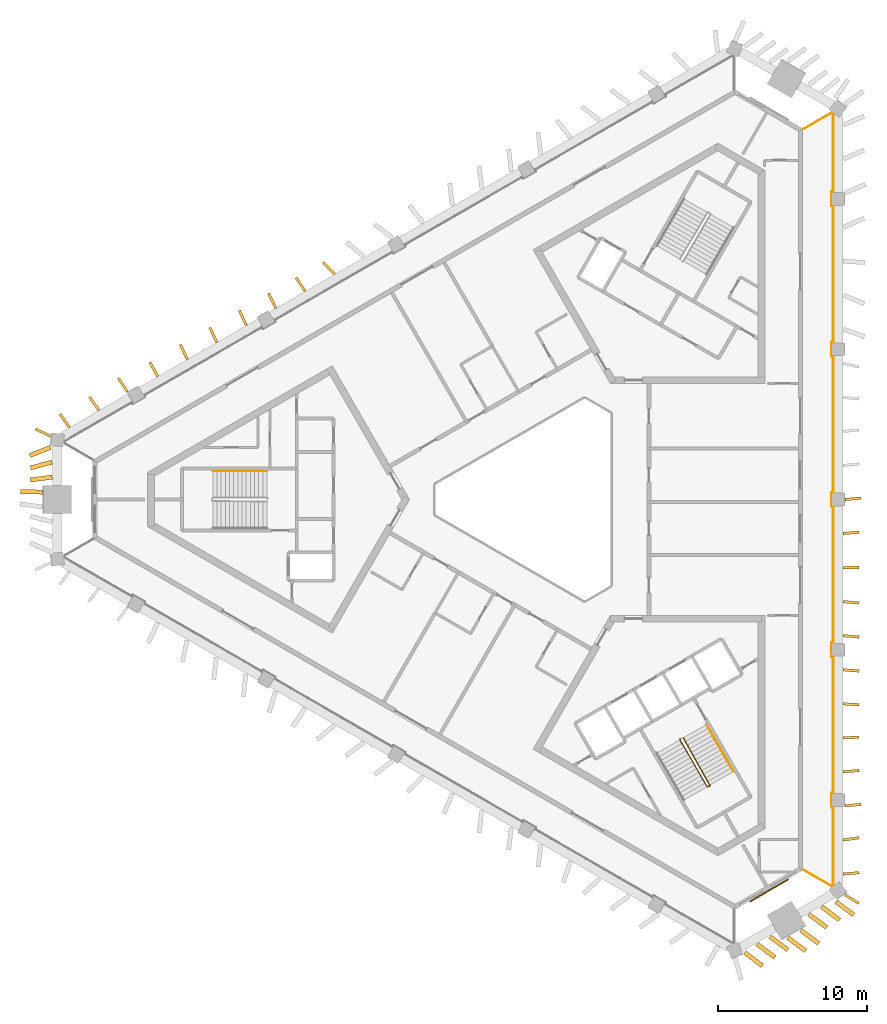
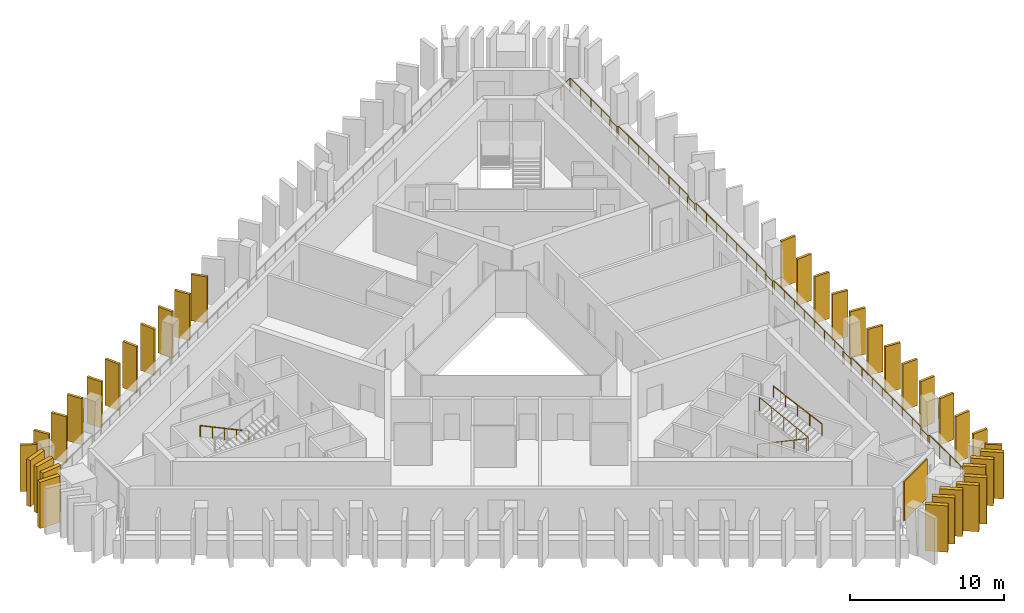
# One storey, part 8 of 9: 36 shading devices, 4 railings, 1 covering.
"""IFC4 building model written with IfcOpenShell, lengths in metres."""

from ifc_helpers import new_model, si_unit, direction, frame, frame_2d, origin, origin_2d, place, context, subcontext, project, spatial, rectangle, circle, extrude, material, layer, layer_set, type_object, element, save


model = new_model("IFC4")

# Units and contexts
model_context = context("Model", 3, precision=1e-05, world=origin(), true_north=direction((0.0, 1.0)))
body_context = subcontext(model_context, "Body", "Model", "MODEL_VIEW")
ifc_project = project(units=[si_unit("LENGTHUNIT", "METRE"), si_unit("AREAUNIT", "SQUARE_METRE"), si_unit("VOLUMEUNIT", "CUBIC_METRE"), si_unit("PLANEANGLEUNIT", "RADIAN"), si_unit("MASSUNIT", "GRAM", prefix="KILO")], contexts=[model_context])

# Site, building, storey
site_placement = place(None, origin())
site = spatial("IfcSite", under=ifc_project, at=site_placement, CompositionType="ELEMENT")
building_placement = place(site_placement, origin())
building = spatial("IfcBuilding", under=site, at=building_placement, Name="Jabali Bay Hotel Tower and Convention Centre", CompositionType="ELEMENT")
storey_placement = place(building_placement, frame((0.0, 0.0, 239.10009765625)))
storey = spatial("IfcBuildingStorey", under=building, at=storey_placement, Name="L59", CompositionType="ELEMENT", Elevation=239.10009765625)

# Railing
ifc_material_1 = material(Name="Glass", Category="glass")
railing_type_1 = type_object("IfcRailingType", Name="Loggia glass guard 1100", PredefinedType="BALUSTRADE", material=ifc_material_1)
railing_1_placement = place(storey_placement, frame((92.478515625, 104.90185546875, 0.0)))
element("IfcRailing", 1, at=railing_1_placement, inside=storey, type_object=railing_type_1, Name="Loggia glass guard L59", PredefinedType="BALUSTRADE", context=body_context, shape_type="SweptSolid", body=[
    extrude(circle(Radius=0.02490234375, at=origin_2d()), frame((0.0, 0.0, 1.0751953125), z_axis=(0.86603545466, 0.499982590969, 0.0), x_axis=(-0.495705170593, 0.85862640129, 0.13052619222)), (0.0, 0.0, 1.0), 2.24755859375),
    extrude(circle(Radius=0.02490234375, at=origin_2d()), frame((1.946533203125, 1.123779296875, 1.0751953125), z_axis=(0.798685177606, -0.601749106416, 0.0), x_axis=(0.596601059392, 0.791852315193, 0.13052619222)), (0.0, 0.0, 1.0), 0.06689453125),
    extrude(circle(Radius=0.02490234375, at=origin_2d()), frame((2.0, 1.08349609375, 1.0751953125), z_axis=(0.0, -1.0, 0.0), x_axis=(0.991444861374, 0.0, 0.13052619222)), (0.0, 0.0, 1.0), 5.290283203125),
    extrude(circle(Radius=0.02490234375, at=origin_2d()), frame((2.0, -4.206787109375, 1.0751953125), z_axis=(-1.0, 0.0, 0.0), x_axis=(0.0, -0.991444861374, 0.13052619222)), (0.0, 0.0, 1.0), 0.125),
    extrude(circle(Radius=0.02490234375, at=origin_2d()), frame((1.875, -4.206787109375, 1.0751953125), z_axis=(0.0, -1.0, 0.0), x_axis=(0.991444861374, 0.0, 0.13052619222)), (0.0, 0.0, 1.0), 0.949951171875),
    extrude(circle(Radius=0.02490234375, at=origin_2d()), frame((1.875, -5.15673828125, 1.0751953125), z_axis=(1.0, 0.0, 0.0), x_axis=(0.0, 0.991444861374, 0.13052619222)), (0.0, 0.0, 1.0), 0.125),
    extrude(circle(Radius=0.02490234375, at=origin_2d()), frame((2.0, -5.15673828125, 1.0751953125), z_axis=(0.0, -1.0, 0.0), x_axis=(0.991444861374, 0.0, 0.13052619222)), (0.0, 0.0, 1.0), 9.16015625),
    extrude(circle(Radius=0.02490234375, at=origin_2d()), frame((2.0, -14.31689453125, 1.0751953125), z_axis=(-1.0, 0.0, 0.0), x_axis=(0.0, -0.991444861374, 0.13052619222)), (0.0, 0.0, 1.0), 0.125),
    extrude(circle(Radius=0.02490234375, at=origin_2d()), frame((1.875, -14.31689453125, 1.0751953125), z_axis=(0.0, -1.0, 0.0), x_axis=(0.991444861374, 0.0, 0.13052619222)), (0.0, 0.0, 1.0), 0.949951171875),
    extrude(circle(Radius=0.02490234375, at=origin_2d()), frame((1.875, -15.266845703125, 1.0751953125), z_axis=(1.0, 0.0, 0.0), x_axis=(0.0, 0.991444861374, 0.13052619222)), (0.0, 0.0, 1.0), 0.125),
    extrude(circle(Radius=0.02490234375, at=origin_2d()), frame((2.0, -15.266845703125, 1.0751953125), z_axis=(0.0, -1.0, 0.0), x_axis=(0.991444861374, 0.0, 0.13052619222)), (0.0, 0.0, 1.0), 9.159912109375),
    extrude(circle(Radius=0.02490234375, at=origin_2d()), frame((2.0, -24.4267578125, 1.0751953125), z_axis=(-1.0, 0.0, 0.0), x_axis=(0.0, -0.991444861374, 0.13052619222)), (0.0, 0.0, 1.0), 0.125),
    extrude(circle(Radius=0.02490234375, at=origin_2d()), frame((1.875, -24.4267578125, 1.0751953125), z_axis=(0.0, -1.0, 0.0), x_axis=(0.991444861374, 0.0, 0.13052619222)), (0.0, 0.0, 1.0), 0.9501953125),
    extrude(circle(Radius=0.02490234375, at=origin_2d()), frame((1.875, -25.376953125, 1.0751953125), z_axis=(1.0, 0.0, 0.0), x_axis=(0.0, 0.991444861374, 0.13052619222)), (0.0, 0.0, 1.0), 0.125),
    extrude(circle(Radius=0.02490234375, at=origin_2d()), frame((2.0, -25.376953125, 1.0751953125), z_axis=(0.0, -1.0, 0.0), x_axis=(0.991444861374, 0.0, 0.13052619222)), (0.0, 0.0, 1.0), 9.159912109375),
    extrude(circle(Radius=0.02490234375, at=origin_2d()), frame((2.0, -34.536865234375, 1.0751953125), z_axis=(-1.0, 0.0, 0.0), x_axis=(0.0, -0.991444861374, 0.13052619222)), (0.0, 0.0, 1.0), 0.125),
    extrude(circle(Radius=0.02490234375, at=origin_2d()), frame((1.875, -34.536865234375, 1.0751953125), z_axis=(0.0, -1.0, 0.0), x_axis=(0.991444861374, 0.0, 0.13052619222)), (0.0, 0.0, 1.0), 0.949951171875),
    extrude(circle(Radius=0.02490234375, at=origin_2d()), frame((1.875, -35.48681640625, 1.0751953125), z_axis=(1.0, 0.0, 0.0), x_axis=(0.0, 0.991444861374, 0.13052619222)), (0.0, 0.0, 1.0), 0.125),
    extrude(circle(Radius=0.02490234375, at=origin_2d()), frame((2.0, -35.48681640625, 1.0751953125), z_axis=(0.0, -1.0, 0.0), x_axis=(0.991444861374, 0.0, 0.13052619222)), (0.0, 0.0, 1.0), 9.16015625),
    extrude(circle(Radius=0.02490234375, at=origin_2d()), frame((2.0, -44.64697265625, 1.0751953125), z_axis=(-1.0, 0.0, 0.0), x_axis=(0.0, -0.991444861374, 0.13052619222)), (0.0, 0.0, 1.0), 0.125),
    extrude(circle(Radius=0.02490234375, at=origin_2d()), frame((1.875, -44.64697265625, 1.0751953125), z_axis=(0.0, -1.0, 0.0), x_axis=(0.991444861374, 0.0, 0.13052619222)), (0.0, 0.0, 1.0), 0.949951171875),
    extrude(circle(Radius=0.02490234375, at=origin_2d()), frame((1.875, -45.596923828125, 1.0751953125), z_axis=(1.0, 0.0, 0.0), x_axis=(0.0, 0.991444861374, 0.13052619222)), (0.0, 0.0, 1.0), 0.125),
    extrude(circle(Radius=0.02490234375, at=origin_2d()), frame((2.0, -45.596923828125, 1.0751953125), z_axis=(0.0, -1.0, 0.0), x_axis=(0.991444861374, 0.0, 0.13052619222)), (0.0, 0.0, 1.0), 5.290283203125),
    extrude(circle(Radius=0.02490234375, at=origin_2d()), frame((2.0, -50.88720703125, 1.0751953125), z_axis=(-0.798685177606, -0.601749106416, 0.0), x_axis=(0.596601059392, -0.791852315193, 0.13052619222)), (0.0, 0.0, 1.0), 0.06689453125),
    extrude(circle(Radius=0.02490234375, at=origin_2d()), frame((1.946533203125, -50.927490234375, 1.0751953125), z_axis=(-0.86603545466, 0.499982590969, 0.0), x_axis=(-0.495705170593, -0.85862640129, 0.13052619222)), (0.0, 0.0, 1.0), 2.24755859375),
    extrude(circle(Radius=0.02001953125, at=origin_2d()), origin(), (0.0, 0.0, 1.0), 1.050048828125),
    extrude(circle(Radius=0.02001953125, at=origin_2d()), frame((0.97314453125, 0.56201171875, 0.0)), (0.0, 0.0, 1.0), 1.050048828125),
    extrude(circle(Radius=0.02001953125, at=origin_2d()), frame((1.946533203125, 1.123779296875, 0.0)), (0.0, 0.0, 1.0), 1.050048828125),
    extrude(circle(Radius=0.02001953125, at=origin_2d()), frame((2.0, 1.08349609375, 0.0)), (0.0, 0.0, 1.0), 1.050048828125),
    extrude(circle(Radius=0.02001953125, at=origin_2d()), frame((2.0, -0.239013671875, 0.0)), (0.0, 0.0, 1.0), 1.050048828125),
    extrude(circle(Radius=0.02001953125, at=origin_2d()), frame((2.0, -1.5615234375, 0.0)), (0.0, 0.0, 1.0), 1.050048828125),
    extrude(circle(Radius=0.02001953125, at=origin_2d()), frame((2.0, -2.88427734375, 0.0)), (0.0, 0.0, 1.0), 1.050048828125),
    extrude(circle(Radius=0.02001953125, at=origin_2d()), frame((2.0, -4.206787109375, 0.0)), (0.0, 0.0, 1.0), 1.050048828125),
    extrude(circle(Radius=0.02001953125, at=origin_2d()), frame((1.875, -4.206787109375, 0.0)), (0.0, 0.0, 1.0), 1.050048828125),
    extrude(circle(Radius=0.02001953125, at=origin_2d()), frame((1.875, -5.15673828125, 0.0)), (0.0, 0.0, 1.0), 1.050048828125),
    extrude(circle(Radius=0.02001953125, at=origin_2d()), frame((2.0, -5.15673828125, 0.0)), (0.0, 0.0, 1.0), 1.050048828125),
    extrude(circle(Radius=0.02001953125, at=origin_2d()), frame((2.0, -6.46533203125, 0.0)), (0.0, 0.0, 1.0), 1.050048828125),
    extrude(circle(Radius=0.02001953125, at=origin_2d()), frame((2.0, -7.77392578125, 0.0)), (0.0, 0.0, 1.0), 1.050048828125),
    extrude(circle(Radius=0.02001953125, at=origin_2d()), frame((2.0, -9.08251953125, 0.0)), (0.0, 0.0, 1.0), 1.050048828125),
    extrude(circle(Radius=0.02001953125, at=origin_2d()), frame((2.0, -10.39111328125, 0.0)), (0.0, 0.0, 1.0), 1.050048828125),
    extrude(circle(Radius=0.02001953125, at=origin_2d()), frame((2.0, -11.69970703125, 0.0)), (0.0, 0.0, 1.0), 1.050048828125),
    extrude(circle(Radius=0.02001953125, at=origin_2d()), frame((2.0, -13.00830078125, 0.0)), (0.0, 0.0, 1.0), 1.050048828125),
    extrude(circle(Radius=0.02001953125, at=origin_2d()), frame((2.0, -14.31689453125, 0.0)), (0.0, 0.0, 1.0), 1.050048828125),
    extrude(circle(Radius=0.02001953125, at=origin_2d()), frame((1.875, -14.31689453125, 0.0)), (0.0, 0.0, 1.0), 1.050048828125),
    extrude(circle(Radius=0.02001953125, at=origin_2d()), frame((1.875, -15.266845703125, 0.0)), (0.0, 0.0, 1.0), 1.050048828125),
    extrude(circle(Radius=0.02001953125, at=origin_2d()), frame((2.0, -15.266845703125, 0.0)), (0.0, 0.0, 1.0), 1.050048828125),
    extrude(circle(Radius=0.02001953125, at=origin_2d()), frame((2.0, -16.575439453125, 0.0)), (0.0, 0.0, 1.0), 1.050048828125),
    extrude(circle(Radius=0.02001953125, at=origin_2d()), frame((2.0, -17.884033203125, 0.0)), (0.0, 0.0, 1.0), 1.050048828125),
    extrude(circle(Radius=0.02001953125, at=origin_2d()), frame((2.0, -19.192626953125, 0.0)), (0.0, 0.0, 1.0), 1.050048828125),
    extrude(circle(Radius=0.02001953125, at=origin_2d()), frame((2.0, -20.5009765625, 0.0)), (0.0, 0.0, 1.0), 1.050048828125),
    extrude(circle(Radius=0.02001953125, at=origin_2d()), frame((2.0, -21.8095703125, 0.0)), (0.0, 0.0, 1.0), 1.050048828125),
    extrude(circle(Radius=0.02001953125, at=origin_2d()), frame((2.0, -23.1181640625, 0.0)), (0.0, 0.0, 1.0), 1.050048828125),
    extrude(circle(Radius=0.02001953125, at=origin_2d()), frame((2.0, -24.4267578125, 0.0)), (0.0, 0.0, 1.0), 1.050048828125),
    extrude(circle(Radius=0.02001953125, at=origin_2d()), frame((1.875, -24.4267578125, 0.0)), (0.0, 0.0, 1.0), 1.050048828125),
    extrude(circle(Radius=0.02001953125, at=origin_2d()), frame((1.875, -25.376953125, 0.0)), (0.0, 0.0, 1.0), 1.050048828125),
    extrude(circle(Radius=0.02001953125, at=origin_2d()), frame((2.0, -25.376953125, 0.0)), (0.0, 0.0, 1.0), 1.050048828125),
    extrude(circle(Radius=0.02001953125, at=origin_2d()), frame((2.0, -26.685546875, 0.0)), (0.0, 0.0, 1.0), 1.050048828125),
    extrude(circle(Radius=0.02001953125, at=origin_2d()), frame((2.0, -27.994140625, 0.0)), (0.0, 0.0, 1.0), 1.050048828125),
    extrude(circle(Radius=0.02001953125, at=origin_2d()), frame((2.0, -29.302734375, 0.0)), (0.0, 0.0, 1.0), 1.050048828125),
    extrude(circle(Radius=0.02001953125, at=origin_2d()), frame((2.0, -30.611083984375, 0.0)), (0.0, 0.0, 1.0), 1.050048828125),
    extrude(circle(Radius=0.02001953125, at=origin_2d()), frame((2.0, -31.919677734375, 0.0)), (0.0, 0.0, 1.0), 1.050048828125),
    extrude(circle(Radius=0.02001953125, at=origin_2d()), frame((2.0, -33.228271484375, 0.0)), (0.0, 0.0, 1.0), 1.050048828125),
    extrude(circle(Radius=0.02001953125, at=origin_2d()), frame((2.0, -34.536865234375, 0.0)), (0.0, 0.0, 1.0), 1.050048828125),
    extrude(circle(Radius=0.02001953125, at=origin_2d()), frame((1.875, -34.536865234375, 0.0)), (0.0, 0.0, 1.0), 1.050048828125),
    extrude(circle(Radius=0.02001953125, at=origin_2d()), frame((1.875, -35.48681640625, 0.0)), (0.0, 0.0, 1.0), 1.050048828125),
    extrude(circle(Radius=0.02001953125, at=origin_2d()), frame((2.0, -35.48681640625, 0.0)), (0.0, 0.0, 1.0), 1.050048828125),
    extrude(circle(Radius=0.02001953125, at=origin_2d()), frame((2.0, -36.79541015625, 0.0)), (0.0, 0.0, 1.0), 1.050048828125),
    extrude(circle(Radius=0.02001953125, at=origin_2d()), frame((2.0, -38.10400390625, 0.0)), (0.0, 0.0, 1.0), 1.050048828125),
    extrude(circle(Radius=0.02001953125, at=origin_2d()), frame((2.0, -39.41259765625, 0.0)), (0.0, 0.0, 1.0), 1.050048828125),
    extrude(circle(Radius=0.02001953125, at=origin_2d()), frame((2.0, -40.72119140625, 0.0)), (0.0, 0.0, 1.0), 1.050048828125),
    extrude(circle(Radius=0.02001953125, at=origin_2d()), frame((2.0, -42.02978515625, 0.0)), (0.0, 0.0, 1.0), 1.050048828125),
    extrude(circle(Radius=0.02001953125, at=origin_2d()), frame((2.0, -43.33837890625, 0.0)), (0.0, 0.0, 1.0), 1.050048828125),
    extrude(circle(Radius=0.02001953125, at=origin_2d()), frame((2.0, -44.64697265625, 0.0)), (0.0, 0.0, 1.0), 1.050048828125),
    extrude(circle(Radius=0.02001953125, at=origin_2d()), frame((1.875, -44.64697265625, 0.0)), (0.0, 0.0, 1.0), 1.050048828125),
    extrude(circle(Radius=0.02001953125, at=origin_2d()), frame((1.875, -45.596923828125, 0.0)), (0.0, 0.0, 1.0), 1.050048828125),
    extrude(circle(Radius=0.02001953125, at=origin_2d()), frame((2.0, -45.596923828125, 0.0)), (0.0, 0.0, 1.0), 1.050048828125),
    extrude(circle(Radius=0.02001953125, at=origin_2d()), frame((2.0, -46.91943359375, 0.0)), (0.0, 0.0, 1.0), 1.050048828125),
    extrude(circle(Radius=0.02001953125, at=origin_2d()), frame((2.0, -48.2421875, 0.0)), (0.0, 0.0, 1.0), 1.050048828125),
    extrude(circle(Radius=0.02001953125, at=origin_2d()), frame((2.0, -49.564697265625, 0.0)), (0.0, 0.0, 1.0), 1.050048828125),
    extrude(circle(Radius=0.02001953125, at=origin_2d()), frame((2.0, -50.88720703125, 0.0)), (0.0, 0.0, 1.0), 1.050048828125),
    extrude(circle(Radius=0.02001953125, at=origin_2d()), frame((1.946533203125, -50.927490234375, 0.0)), (0.0, 0.0, 1.0), 1.050048828125),
    extrude(circle(Radius=0.02001953125, at=origin_2d()), frame((0.97314453125, -50.36572265625, 0.0)), (0.0, 0.0, 1.0), 1.050048828125),
    extrude(circle(Radius=0.02001953125, at=origin_2d()), frame((0.0, -49.8037109375, 0.0)), (0.0, 0.0, 1.0), 1.050048828125),
])

# Shading devices
ifc_material_2 = material(Name="Precast concrete C60", Category="concrete")
ifc_layer_1 = layer(ifc_material_2, 0.179931640625)
ifc_layer_set_1 = layer_set([ifc_layer_1], Name="Precast concrete C60")
shading_device_type_1 = type_object("IfcShadingDeviceType", Name="Precast fin 3680 x 1100", PredefinedType="USERDEFINED", material=ifc_layer_set_1)
for number, where, z_axis, x_axis, name in (
    (2, (95.128173828125, 54.82763671875, 0.010009765625), (0.0, 0.0, 1.0), (0.99678486003, 0.08012454564, 0.0), "Fin L59 000"),
    (3, (95.132568359375, 57.1162109375, 0.010009765625), (0.0, 0.0, 1.0), (0.991476190056, 0.13028800617, 0.0), "Fin L59 001"),
):
    element("IfcShadingDevice", number, at=place(storey_placement, frame(where, z_axis=z_axis, x_axis=x_axis)), inside=storey, type_object=shading_device_type_1, Name=name, ObjectType="FIN", PredefinedType="USERDEFINED", context=body_context, shape_type="SweptSolid", body=[
        extrude(rectangle(XDim=1.099853515625, YDim=0.179931640625, at=frame_2d((0.5498046875, 0.0))), origin(), (0.0, 0.0, 1.0), 3.679931640625),
    ])
for number, where, z_axis, x_axis, name in (
    (4, (95.261962890625, 59.404541015625, 0.010009765625), (0.0, 0.0, 1.0), (0.995308052285, 0.096756814001, 0.0), "Fin L59 002"),
    (5, (95.128662109375, 61.69287109375, 0.010009765625), (0.0, 0.0, 1.0), (0.996228086666, 0.086773263953, 0.0), "Fin L59 003"),
    (6, (95.1240234375, 63.981201171875, 0.010009765625), (0.0, 0.0, 1.0), (0.999384993792, 0.035066140133, 0.0), "Fin L59 004"),
    (7, (95.126708984375, 66.269775390625, 0.010009765625), (0.0, 0.0, 1.0), (0.997825237844, -0.065915056859, 0.0), "Fin L59 005"),
):
    element("IfcShadingDevice", number, at=place(storey_placement, frame(where, z_axis=z_axis, x_axis=x_axis)), inside=storey, type_object=shading_device_type_1, Name=name, ObjectType="FIN", PredefinedType="USERDEFINED", context=body_context, shape_type="SweptSolid", body=[
        extrude(rectangle(XDim=1.10009765625, YDim=0.179931640625, at=frame_2d((0.550048828125, 0.0))), origin(), (0.0, 0.0, 1.0), 3.679931640625),
    ])
for number, where, z_axis, x_axis, name in (
    (8, (95.12841796875, 68.55810546875, 0.010009765625), (0.0, 0.0, 1.0), (0.996603682798, -0.082347431251, 0.0), "Fin L59 006"),
    (9, (95.12841796875, 70.846435546875, 0.010009765625), (0.0, 0.0, 1.0), (0.996621874565, -0.082126969619, 0.0), "Fin L59 007"),
    (10, (95.12841796875, 73.134765625, 0.010009765625), (0.0, 0.0, 1.0), (0.996621874565, -0.082126969619, 0.0), "Fin L59 008"),
    (11, (95.121337890625, 75.42333984375, 0.010009765625), (0.0, 0.0, 1.0), (0.999993693095, 0.003551586923, 0.0), "Fin L59 009"),
    (12, (95.12841796875, 77.711669921875, 0.010009765625), (0.0, 0.0, 1.0), (0.996585442931, 0.082567880795, 0.0), "Fin L59 010"),
):
    element("IfcShadingDevice", number, at=place(storey_placement, frame(where, z_axis=z_axis, x_axis=x_axis)), inside=storey, type_object=shading_device_type_1, Name=name, ObjectType="FIN", PredefinedType="USERDEFINED", context=body_context, shape_type="SweptSolid", body=[
        extrude(rectangle(XDim=1.099853515625, YDim=0.179931640625, at=frame_2d((0.5498046875, 0.0))), origin(), (0.0, 0.0, 1.0), 3.679931640625),
    ])
shading_device_1_placement = place(storey_placement, frame((95.260986328125, 80.0, 0.010009765625), z_axis=(0.0, 0.0, 1.0), x_axis=(0.996474994067, 0.08389032244, 0.0)))
element("IfcShadingDevice", 13, at=shading_device_1_placement, inside=storey, type_object=shading_device_type_1, Name="Fin L59 011", ObjectType="FIN", PredefinedType="USERDEFINED", context=body_context, shape_type="SweptSolid", body=[
    extrude(rectangle(XDim=1.10009765625, YDim=0.179931640625, at=frame_2d((0.550048828125, 0.0))), origin(), (0.0, 0.0, 1.0), 3.679931640625),
])
shading_device_2_placement = place(storey_placement, frame((60.96484375, 95.156005859375, 0.010009765625), z_axis=(0.0, 0.0, 1.0), x_axis=(-0.697610686426, 0.716477026976, 0.0)))
element("IfcShadingDevice", 14, at=shading_device_2_placement, inside=storey, type_object=shading_device_type_1, Name="Fin L59 044", ObjectType="FIN", PredefinedType="USERDEFINED", context=body_context, shape_type="SweptSolid", body=[
    extrude(rectangle(XDim=1.099853515625, YDim=0.179931640625, at=frame_2d((0.5498046875, 0.0))), origin(), (0.0, 0.0, 1.0), 3.679931640625),
])
for number, where, z_axis, x_axis, name in (
    (15, (58.990966796875, 93.998291015625, 0.010009765625), (0.0, 0.0, 1.0), (-0.560627290637, 0.828068258656, 0.0), "Fin L59 045"),
    (16, (57.009033203125, 92.85400390625, 0.010009765625), (0.0, 0.0, 1.0), (-0.436082921605, 0.899906487078, 0.0), "Fin L59 046"),
    (17, (55.026611328125, 91.711181640625, 0.010009765625), (0.0, 0.0, 1.0), (-0.42146339723, 0.906845413946, 0.0), "Fin L59 047"),
    (18, (53.044921875, 90.566650390625, 0.010009765625), (0.0, 0.0, 1.0), (-0.425241157529, 0.905080083718, 0.0), "Fin L59 048"),
    (19, (51.063232421875, 89.42236328125, 0.010009765625), (0.0, 0.0, 1.0), (-0.426587845489, 0.904446134427, 0.0), "Fin L59 049"),
):
    element("IfcShadingDevice", number, at=place(storey_placement, frame(where, z_axis=z_axis, x_axis=x_axis)), inside=storey, type_object=shading_device_type_1, Name=name, ObjectType="FIN", PredefinedType="USERDEFINED", context=body_context, shape_type="SweptSolid", body=[
        extrude(rectangle(XDim=1.10009765625, YDim=0.179931640625, at=frame_2d((0.550048828125, 0.0))), origin(), (0.0, 0.0, 1.0), 3.679931640625),
    ])
shading_device_3_placement = place(storey_placement, frame((49.084716796875, 88.2724609375, 0.010009765625), z_axis=(0.0, 0.0, 1.0), x_axis=(-0.492093826207, 0.870542167967, 0.0)))
element("IfcShadingDevice", 20, at=shading_device_3_placement, inside=storey, type_object=shading_device_type_1, Name="Fin L59 050", ObjectType="FIN", PredefinedType="USERDEFINED", context=body_context, shape_type="SweptSolid", body=[
    extrude(rectangle(XDim=1.099853515625, YDim=0.179931640625, at=frame_2d((0.5498046875, 0.0))), origin(), (0.0, 0.0, 1.0), 3.679931640625),
])
for number, where, z_axis, x_axis, name in (
    (21, (47.03564453125, 87.244873046875, 0.010009765625), (0.0, 0.0, 1.0), (-0.555468147734, 0.831537814446, 0.0), "Fin L59 051"),
    (22, (45.117919921875, 85.98974609375, 0.010009765625), (0.0, 0.0, 1.0), (-0.569463835804, 0.822016386523, 0.0), "Fin L59 052"),
    (23, (43.135986328125, 84.845458984375, 0.010009765625), (0.0, 0.0, 1.0), (-0.569463835804, 0.822016386523, 0.0), "Fin L59 053"),
    (24, (95.25830078125, 53.435302734375, 0.010009765625), (0.0, 0.0, 1.0), (0.847586587763, -0.530657117397, 0.0), "Fin L59 093"),
):
    element("IfcShadingDevice", number, at=place(storey_placement, frame(where, z_axis=z_axis, x_axis=x_axis)), inside=storey, type_object=shading_device_type_1, Name=name, ObjectType="FIN", PredefinedType="USERDEFINED", context=body_context, shape_type="SweptSolid", body=[
        extrude(rectangle(XDim=1.10009765625, YDim=0.179931640625, at=frame_2d((0.550048828125, 0.0))), origin(), (0.0, 0.0, 1.0), 3.679931640625),
    ])
shading_device_4_placement = place(storey_placement, frame((41.868896484375, 84.259765625, 0.010009765625), z_axis=(0.0, 0.0, 1.0), x_axis=(-0.904234362863, 0.427036552319, 0.0)))
element("IfcShadingDevice", 25, at=shading_device_4_placement, inside=storey, type_object=shading_device_type_1, Name="Fin L59 096", ObjectType="FIN", PredefinedType="USERDEFINED", context=body_context, shape_type="SweptSolid", body=[
    extrude(rectangle(XDim=1.099853515625, YDim=0.179931640625, at=frame_2d((0.5498046875, 0.0))), origin(), (0.0, 0.0, 1.0), 3.679931640625),
])
ifc_layer_2 = layer(ifc_material_2, 0.300048828125)
ifc_layer_set_2 = layer_set([ifc_layer_2], Name="Precast concrete C60")
shading_device_type_2 = type_object("IfcShadingDeviceType", Name="Precast fin 3680 x 1500", PredefinedType="USERDEFINED", material=ifc_layer_set_2)
for number, where, z_axis, x_axis, name in (
    (26, (41.874267578125, 83.511962890625, 0.010009765625), (0.0, 0.0, 1.0), (-0.928857839273, -0.370436383772, 0.0), "Fin L59 054"),
    (27, (41.969482421875, 82.508544921875, 0.010009765625), (0.0, 0.0, 1.0), (-0.965977827048, -0.258624897587, 0.0), "Fin L59 055"),
    (28, (41.989013671875, 81.505126953125, 0.010009765625), (0.0, 0.0, 1.0), (-0.991699047988, -0.128580707026, 0.0), "Fin L59 056"),
    (29, (41.344482421875, 80.501708984375, 0.010009765625), (0.0, 0.0, 1.0), (-0.999969483819, 0.007812261592, 0.0), "Fin L59 057"),
    (30, (88.519775390625, 49.55908203125, 0.010009765625), (0.0, 0.0, 1.0), (0.798199486844, -0.60239320979, 0.0), "Fin L59 085"),
    (31, (89.35302734375, 50.122314453125, 0.010009765625), (0.0, 0.0, 1.0), (0.802939709728, -0.596060250765, 0.0), "Fin L59 086"),
    (32, (90.22216796875, 50.624267578125, 0.010009765625), (0.0, 0.0, 1.0), (0.802861809091, -0.596165174681, 0.0), "Fin L59 087"),
    (33, (91.42236328125, 50.552001953125, 0.010009765625), (0.0, 0.0, 1.0), (0.802861809091, -0.596165174681, 0.0), "Fin L59 088"),
    (34, (92.29150390625, 51.0537109375, 0.010009765625), (0.0, 0.0, 1.0), (0.802939709728, -0.596060250765, 0.0), "Fin L59 089"),
    (35, (92.8291015625, 52.12939453125, 0.010009765625), (0.0, 0.0, 1.0), (0.802861809091, -0.596165174681, 0.0), "Fin L59 090"),
    (36, (93.6982421875, 52.631103515625, 0.010009765625), (0.0, 0.0, 1.0), (0.802861809091, -0.596165174681, 0.0), "Fin L59 091"),
    (37, (94.66015625, 52.971923828125, 0.010009765625), (0.0, 0.0, 1.0), (0.802861809091, -0.596165174681, 0.0), "Fin L59 092"),
):
    element("IfcShadingDevice", number, at=place(storey_placement, frame(where, z_axis=z_axis, x_axis=x_axis)), inside=storey, type_object=shading_device_type_2, Name=name, ObjectType="FIN", PredefinedType="USERDEFINED", context=body_context, shape_type="SweptSolid", body=[
        extrude(rectangle(XDim=1.5, YDim=0.300048828125, at=frame_2d((0.75, 0.0))), origin(), (0.0, 0.0, 1.0), 3.679931640625),
    ])

# Covering
ifc_material_3 = material(Name="Precast concrete C40/50", Category="concrete")
ifc_layer_3 = layer(ifc_material_3, 0.080078125)
ifc_layer_set_3 = layer_set([ifc_layer_3], Name="Precast concrete C40/50")
covering_type = type_object("IfcCoveringType", Name="Relief panel 3000 x 3100", PredefinedType="CLADDING", material=ifc_layer_set_3)
covering_placement = place(storey_placement, frame((90.17236328125, 53.720458984375, 0.099853515625), z_axis=(0.0, 0.0, 1.0), x_axis=(-0.866025404919, -0.499999998035, 0.0)))
element("IfcCovering", 38, at=covering_placement, inside=storey, type_object=covering_type, Name="Relief panel L59", PredefinedType="CLADDING", context=body_context, shape_type="SweptSolid", body=[
    extrude(rectangle(XDim=3.0, YDim=0.080078125, at=origin_2d()), origin(), (0.0, 0.0, 1.0), 3.10009765625),
])

# Railings
ifc_material_4 = material(Name="Steel Q355B", Category="steel")
railing_type_2 = type_object("IfcRailingType", Name="Stair guard 1100", PredefinedType="GUARDRAIL", material=ifc_material_4)
railing_2_placement = place(storey_placement, frame((84.199951171875, 63.9150390625, 0.0)))
element("IfcRailing", 39, at=railing_2_placement, inside=storey, type_object=railing_type_2, Name="L59 ST3 stair guard 1", PredefinedType="GUARDRAIL", context=body_context, shape_type="SweptSolid", body=[
    extrude(circle(Radius=0.02392578125, at=origin_2d()), frame((0.0, 0.0, 1.076171875), z_axis=(-0.122196845461, -0.456201556387, 0.881446578591), x_axis=(0.965948051503, -0.258736085224, 0.0)), (0.0, 0.0, 1.0), 0.14990234375),
    extrude(circle(Radius=0.02392578125, at=origin_2d()), frame((-0.018310546875, -0.068359375, 1.2080078125), z_axis=(0.452190331055, -0.783190014029, 0.426775475427), x_axis=(0.866018046521, 0.500012742938, 0.0)), (0.0, 0.0, 1.0), 4.02490234375),
    extrude(circle(Radius=0.02392578125, at=origin_2d()), frame((1.8017578125, -3.220703125, 2.92578125), z_axis=(0.96121063429, 0.275815366736, 0.0), x_axis=(-0.275815366736, 0.96121063429, 0.0)), (0.0, 0.0, 1.0), 0.206298828125),
    extrude(circle(Radius=0.02392578125, at=origin_2d()), frame((2.0, -3.163818359375, 2.92578125), z_axis=(-0.436470229993, 0.780146179382, 0.448180406895), x_axis=(-0.872702246529, -0.488252792008, 0.0)), (0.0, 0.0, 1.0), 4.1279296875),
    extrude(circle(Radius=0.02099609375, at=origin_2d()), origin(), (0.0, 0.0, 1.0), 1.052001953125),
    extrude(circle(Radius=0.02099609375, at=origin_2d()), frame((-0.018310546875, -0.068359375, 0.132080078125)), (0.0, 0.0, 1.0), 1.052001953125),
    extrude(circle(Radius=0.02099609375, at=origin_2d()), frame((0.436767578125, -0.8564453125, 0.5615234375)), (0.0, 0.0, 1.0), 1.052001953125),
    extrude(circle(Radius=0.02099609375, at=origin_2d()), frame((0.8916015625, -1.64453125, 0.990966796875)), (0.0, 0.0, 1.0), 1.052001953125),
    extrude(circle(Radius=0.02099609375, at=origin_2d()), frame((1.3466796875, -2.4326171875, 1.42041015625)), (0.0, 0.0, 1.0), 1.052001953125),
    extrude(circle(Radius=0.02099609375, at=origin_2d()), frame((1.8017578125, -3.220703125, 1.849853515625)), (0.0, 0.0, 1.0), 1.052001953125),
    extrude(circle(Radius=0.02099609375, at=origin_2d()), frame((2.0, -3.163818359375, 1.849853515625)), (0.0, 0.0, 1.0), 1.052001953125),
    extrude(circle(Radius=0.02099609375, at=origin_2d()), frame((1.549560546875, -2.358642578125, 2.3125)), (0.0, 0.0, 1.0), 1.052001953125),
    extrude(circle(Radius=0.02099609375, at=origin_2d()), frame((1.09912109375, -1.5537109375, 2.77490234375)), (0.0, 0.0, 1.0), 1.052001953125),
    extrude(circle(Radius=0.02099609375, at=origin_2d()), frame((0.648681640625, -0.74853515625, 3.2373046875)), (0.0, 0.0, 1.0), 1.052001953125),
    extrude(circle(Radius=0.02099609375, at=origin_2d()), frame((0.1982421875, 0.056640625, 3.699951171875)), (0.0, 0.0, 1.0), 1.052001953125),
])
railing_type_3 = type_object("IfcRailingType", Name="Stair handrail 900", PredefinedType="HANDRAIL", material=ifc_material_4)
railing_3_placement = place(storey_placement, frame((56.419921875, 81.925048828125, 0.132080078125)))
element("IfcRailing", 40, at=railing_3_placement, inside=storey, type_object=railing_type_3, Name="L59 ST1 stair handrail 1", PredefinedType="HANDRAIL", context=body_context, shape_type="SweptSolid", body=[
    extrude(circle(Radius=0.02392578125, at=origin_2d()), frame((0.0, 0.0, 0.8759765625), z_axis=(-0.904350763662, 0.0, 0.426789990819), x_axis=(0.0, -1.0, 0.0)), (0.0, 0.0, 1.0), 4.02490234375),
    extrude(circle(Radius=0.02099609375, at=origin_2d()), origin(), (0.0, 0.0, 1.0), 0.851806640625),
    extrude(circle(Radius=0.02099609375, at=origin_2d()), frame((-0.909912109375, 0.0, 0.429443359375)), (0.0, 0.0, 1.0), 0.851806640625),
    extrude(circle(Radius=0.02099609375, at=origin_2d()), frame((-1.81982421875, 0.0, 0.85888671875)), (0.0, 0.0, 1.0), 0.851806640625),
    extrude(circle(Radius=0.02099609375, at=origin_2d()), frame((-2.72998046875, 0.0, 1.288330078125)), (0.0, 0.0, 1.0), 0.851806640625),
    extrude(circle(Radius=0.02099609375, at=origin_2d()), frame((-3.639892578125, 0.0, 1.7177734375)), (0.0, 0.0, 1.0), 0.851806640625),
])
railing_4_placement = place(storey_placement, frame((87.777099609375, 61.719482421875, 1.98193359375)))
element("IfcRailing", 41, at=railing_4_placement, inside=storey, type_object=railing_type_3, Name="L59 ST3 stair handrail 2", PredefinedType="HANDRAIL", context=body_context, shape_type="SweptSolid", body=[
    extrude(circle(Radius=0.02392578125, at=origin_2d()), frame((0.0, 0.0, 0.8759765625), z_axis=(-0.45217862506, 0.783169739339, 0.426825081763), x_axis=(-0.866018046521, -0.500012742938, 0.0)), (0.0, 0.0, 1.0), 4.025146484375),
    extrude(circle(Radius=0.02099609375, at=origin_2d()), origin(), (0.0, 0.0, 1.0), 0.851806640625),
    extrude(circle(Radius=0.02099609375, at=origin_2d()), frame((-0.455078125, 0.7880859375, 0.429443359375)), (0.0, 0.0, 1.0), 0.851806640625),
    extrude(circle(Radius=0.02099609375, at=origin_2d()), frame((-0.91015625, 1.576171875, 0.85888671875)), (0.0, 0.0, 1.0), 0.851806640625),
    extrude(circle(Radius=0.02099609375, at=origin_2d()), frame((-1.364990234375, 2.3642578125, 1.28857421875)), (0.0, 0.0, 1.0), 0.851806640625),
    extrude(circle(Radius=0.02099609375, at=origin_2d()), frame((-1.820068359375, 3.15234375, 1.718017578125)), (0.0, 0.0, 1.0), 0.851806640625),
])

save(model, "model.ifc")
